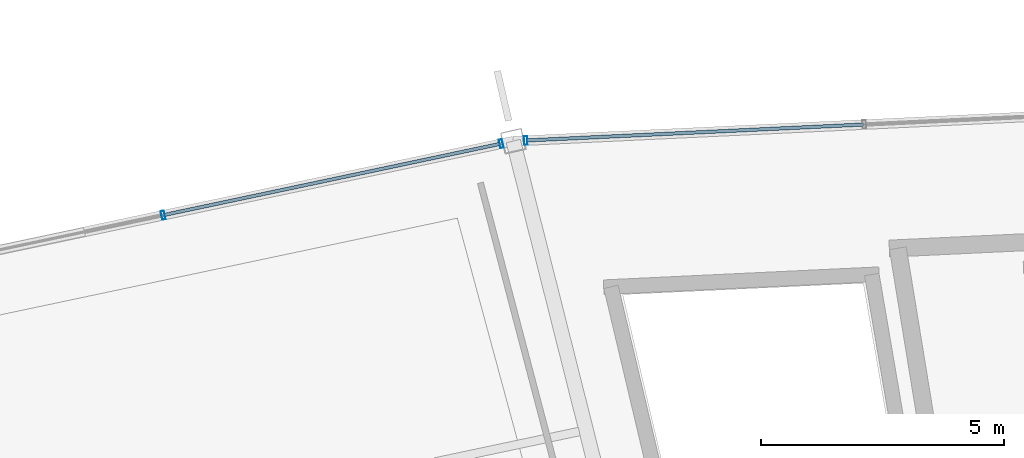
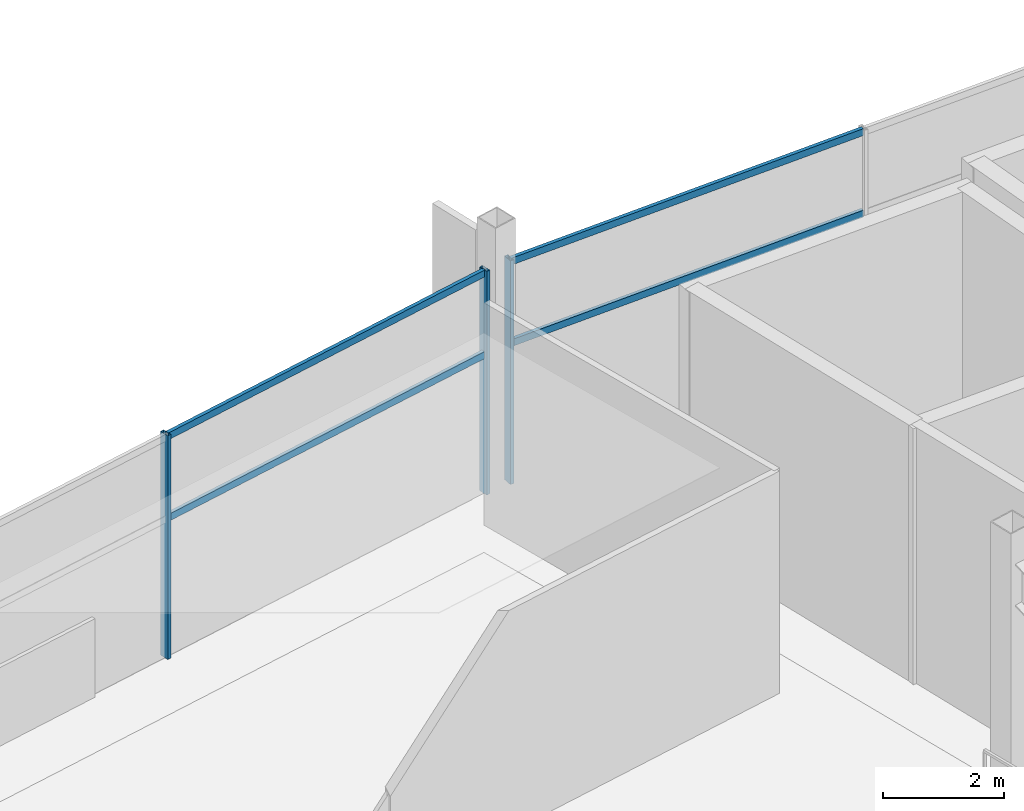
# One storey, part 96 of 186: 7 members, 2 elements without a shape of their own.
"""IFC4 building model written with IfcOpenShell, lengths in metres."""

from ifc_helpers import new_model, si_unit, direction, frame, origin, origin_2d, place, context, subcontext, project, spatial, hollow_rectangle, extrude, material, layer, layer_set, material_profile, profile_set, type_object, element, aggregate, save


model = new_model("IFC4")

# Units and contexts
model_context = context("Model", 3, precision=1e-05, world=origin(), true_north=direction((0.0, 1.0)))
body_context = subcontext(model_context, "Body", "Model", "MODEL_VIEW")
ifc_project = project(units=[si_unit("LENGTHUNIT", "METRE"), si_unit("AREAUNIT", "SQUARE_METRE"), si_unit("VOLUMEUNIT", "CUBIC_METRE"), si_unit("PLANEANGLEUNIT", "RADIAN"), si_unit("MASSUNIT", "GRAM", prefix="KILO")], contexts=[model_context])

# Site, building, storey
site_placement = place(None, origin())
site = spatial("IfcSite", under=ifc_project, at=site_placement, CompositionType="ELEMENT")
building_placement = place(site_placement, origin())
building = spatial("IfcBuilding", under=site, at=building_placement, Name="Kazemori Nagisa Stadium", CompositionType="ELEMENT")
storey_placement = place(building_placement, frame((0.0, 0.0, 20.39990234375)))
storey = spatial("IfcBuildingStorey", under=building, at=storey_placement, Name="L04", CompositionType="ELEMENT", Elevation=20.39990234375)

# Curtain wall, member
ifc_material_1 = material(Name="Anodised aluminium 6063-T5", Category="aluminium")
ifc_layer_1 = layer(ifc_material_1, 0.179931640625, Name="Anodised aluminium 6063-T5", Category="aluminium")
ifc_layer_set_1 = layer_set([ifc_layer_1], Name="Anodised aluminium 6063-T5")
curtain_wall_type_1 = type_object("IfcCurtainWallType", Name="CW_L04R3_105", PredefinedType="USERDEFINED", material=ifc_layer_set_1)
curtain_wall_1_placement = place(storey_placement, origin())
curtain_wall_1 = element("IfcCurtainWall", 1, at=curtain_wall_1_placement, inside=storey, type_object=curtain_wall_type_1, Name="Unitised curtain wall CW-L04R3-105 L04", ObjectType="UNITISED CURTAIN WALL", PredefinedType="USERDEFINED")
ifc_material_2 = material(Name="Aluminium 6063-T5 anodised", Category="aluminium")
ifc_material_profile_1 = material_profile(ifc_material_2, hollow_rectangle(XDim=0.070068359375, YDim=0.179931640625, WallThickness=0.00390625, at=origin_2d()), Name="ALU-MULL-70x180x4")
ifc_profile_set_1 = profile_set([ifc_material_profile_1], Name="Aluminium 6063-T5 anodised")
member_type_1 = type_object("IfcMemberType", Name="Mullion_M01", PredefinedType="MULLION", material=ifc_profile_set_1)
member_1_placement = place(storey_placement, frame((101.8271484375, 186.998779296875, 0.0), z_axis=(0.0, 0.0, 1.0), x_axis=(-0.998884022476, -0.047230388971, 0.0)))
member_1 = element("IfcMember", 2, at=member_1_placement, type_object=member_type_1, Name="Curtain wall mullion CW-L04R3-105-M4", PredefinedType="MULLION", context=body_context, shape_type="SweptSolid", body=[
    extrude(hollow_rectangle(XDim=0.070068359375, YDim=0.179931640625, WallThickness=0.00390625, at=origin_2d()), origin(), (0.0, 0.0, 1.0), 4.530029296875),
])

# Curtain wall, members
ifc_layer_2 = layer(ifc_material_1, 0.179931640625, Name="Anodised aluminium 6063-T5", Category="aluminium")
ifc_layer_set_2 = layer_set([ifc_layer_2], Name="Anodised aluminium 6063-T5")
curtain_wall_type_2 = type_object("IfcCurtainWallType", Name="CW_L04R3_107", PredefinedType="USERDEFINED", material=ifc_layer_set_2)
curtain_wall_2_placement = place(storey_placement, origin())
curtain_wall_2 = element("IfcCurtainWall", 3, at=curtain_wall_2_placement, inside=storey, type_object=curtain_wall_type_2, Name="Unitised curtain wall CW-L04R3-107 L04", ObjectType="UNITISED CURTAIN WALL", PredefinedType="USERDEFINED")
member_2_placement = place(storey_placement, frame((101.32275390625, 186.93408203125, 0.0), z_axis=(0.0, 0.0, 1.0), x_axis=(-0.978344955407, -0.206981033502, 0.0)))
member_2 = element("IfcMember", 4, at=member_2_placement, type_object=member_type_1, Name="Curtain wall mullion CW-L04R3-107-M1", PredefinedType="MULLION", context=body_context, shape_type="SweptSolid", body=[
    extrude(hollow_rectangle(XDim=0.070068359375, YDim=0.179931640625, WallThickness=0.00390625, at=origin_2d()), origin(), (0.0, 0.0, 1.0), 4.530029296875),
])
member_3_placement = place(storey_placement, frame((94.363525390625, 185.461669921875, 0.0), z_axis=(0.0, 0.0, 1.0), x_axis=(-0.978344955407, -0.206981033502, 0.0)))
member_3 = element("IfcMember", 5, at=member_3_placement, type_object=member_type_1, Name="Curtain wall mullion CW-L04R3-107-M2", PredefinedType="MULLION", context=body_context, shape_type="SweptSolid", body=[
    extrude(hollow_rectangle(XDim=0.070068359375, YDim=0.179931640625, WallThickness=0.00390625, at=origin_2d()), origin(), (0.0, 0.0, 1.0), 4.530029296875),
])

# Member
ifc_material_profile_2 = material_profile(ifc_material_2, hollow_rectangle(XDim=0.070068359375, YDim=0.139892578125, WallThickness=0.00390625, at=origin_2d()), Name="ALU-TRAN-70x140x4")
ifc_profile_set_2 = profile_set([ifc_material_profile_2], Name="Aluminium 6063-T5 anodised")
member_type_2 = type_object("IfcMemberType", Name="Transom_T01", PredefinedType="USERDEFINED", material=ifc_profile_set_2)
member_4_placement = place(storey_placement, frame((108.77978515625, 187.32763671875, 2.80859375), z_axis=(-0.998883524201, -0.047240925908, 0.0), x_axis=(0.047240925908, -0.998883524201, 0.0)))
member_4 = element("IfcMember", 6, at=member_4_placement, type_object=member_type_2, Name="Curtain wall transom CW-L04R3-105-T3-mid", ObjectType="TRANSOM", PredefinedType="USERDEFINED", context=body_context, shape_type="SweptSolid", body=[
    extrude(hollow_rectangle(XDim=0.070068359375, YDim=0.139892578125, WallThickness=0.00390625, at=origin_2d()), origin(), (0.0, 0.0, 1.0), 6.940673828125),
])

member_5_placement = place(storey_placement, frame((108.77978515625, 187.32763671875, 4.460205078125), z_axis=(-0.998883524201, -0.047240925908, 0.0), x_axis=(0.047240925908, -0.998883524201, 0.0)))
member_5 = element("IfcMember", 7, at=member_5_placement, type_object=member_type_2, Name="Curtain wall transom CW-L04R3-105-T3-head", ObjectType="TRANSOM", PredefinedType="USERDEFINED", context=body_context, shape_type="SweptSolid", body=[
    extrude(hollow_rectangle(XDim=0.070068359375, YDim=0.139892578125, WallThickness=0.00390625, at=origin_2d()), origin(), (0.0, 0.0, 1.0), 6.940673828125),
])

aggregate(curtain_wall_1, [member_1, member_4, member_5])

member_6_placement = place(storey_placement, frame((101.30322265625, 186.929931640625, 2.80859375), z_axis=(-0.97834311718, -0.206989722128, 0.0), x_axis=(0.206989722128, -0.97834311718, 0.0)))
member_6 = element("IfcMember", 8, at=member_6_placement, type_object=member_type_2, Name="Curtain wall transom CW-L04R3-107-T1-mid", ObjectType="TRANSOM", PredefinedType="USERDEFINED", context=body_context, shape_type="SweptSolid", body=[
    extrude(hollow_rectangle(XDim=0.070068359375, YDim=0.139892578125, WallThickness=0.00390625, at=origin_2d()), origin(), (0.0, 0.0, 1.0), 7.0732421875),
])

member_7_placement = place(storey_placement, frame((101.30322265625, 186.929931640625, 4.460205078125), z_axis=(-0.97834311718, -0.206989722128, 0.0), x_axis=(0.206989722128, -0.97834311718, 0.0)))
member_7 = element("IfcMember", 9, at=member_7_placement, type_object=member_type_2, Name="Curtain wall transom CW-L04R3-107-T1-head", ObjectType="TRANSOM", PredefinedType="USERDEFINED", context=body_context, shape_type="SweptSolid", body=[
    extrude(hollow_rectangle(XDim=0.070068359375, YDim=0.139892578125, WallThickness=0.00390625, at=origin_2d()), origin(), (0.0, 0.0, 1.0), 7.0732421875),
])

aggregate(curtain_wall_2, [member_2, member_3, member_6, member_7])

save(model, "model.ifc")
